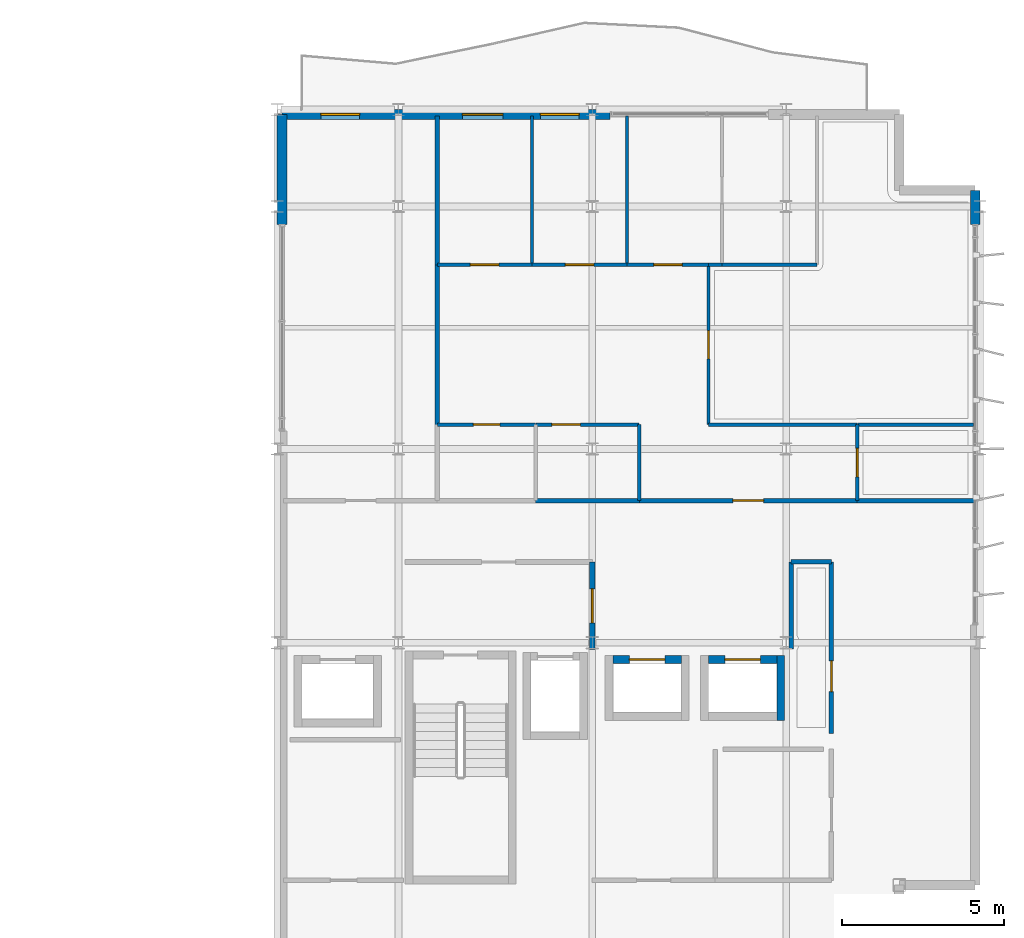
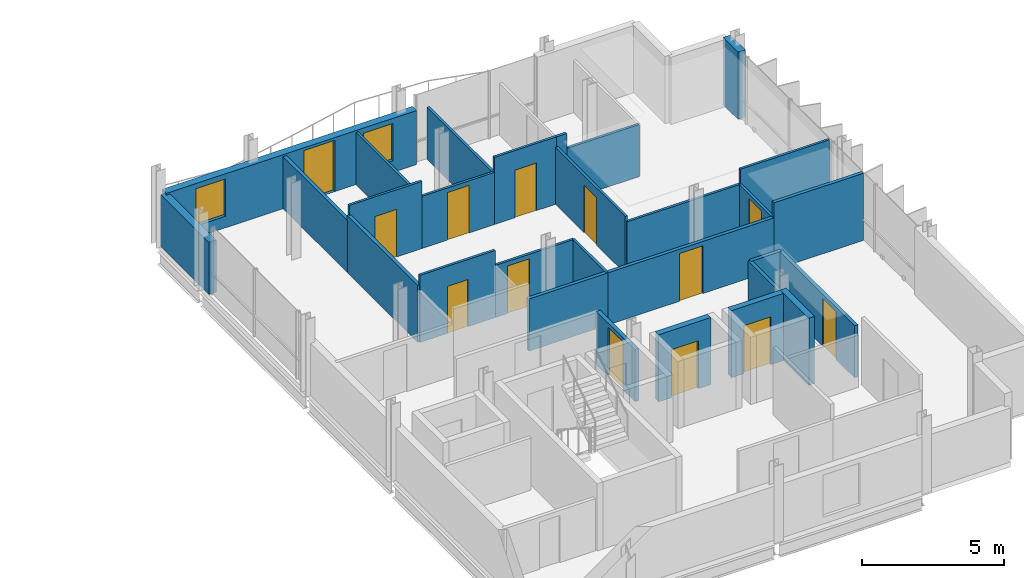
# One storey, part 25 of 30: 29 walls, 13 doors, 2 windows, 15 openings.
"""IFC4 building model written with IfcOpenShell, lengths in metres."""

import ifcopenshell
import ifcopenshell.guid

model = None  # the IFC model being written
_history = None  # IfcOwnerHistory: only IFC2X3 demands one
_inside = {}  # id of a spatial element -> (the spatial element, [elements in it])
_under = {}  # id of a project, library or spatial element -> (it, [spatial elements below it])
_declared = {}  # id of a project -> (the project, [libraries it declares])
_typed = {}  # id of a type object -> (the type object, [elements of that type])
_made_of = {}  # id of a material, layer set ... -> (it, [elements and type objects made of it])


def new_model(schema):
    """Start an empty IFC model of exactly this schema.

    Asked for "IFC4X3", IfcOpenShell would pick the latest addendum, in which some entities
    have other attributes; the version numbers below select the first issue.
    IFC2X3 requires an IfcOwnerHistory on every rooted entity: one is made here for all.
    """
    global model, _history
    if schema == "IFC4X3":
        model = ifcopenshell.file(schema_version=(4, 3, 0, 0))
    else:
        model = ifcopenshell.file(schema=schema)
    _inside.clear()
    _under.clear()
    _declared.clear()
    _typed.clear()
    _made_of.clear()
    _history = None
    if model.schema == "IFC2X3":
        org = make("IfcOrganization", Name="unknown")
        user = make(
            "IfcPersonAndOrganization",
            ThePerson=make("IfcPerson", FamilyName="unknown"),
            TheOrganization=org,
        )
        app = make(
            "IfcApplication",
            ApplicationDeveloper=org,
            Version="unknown",
            ApplicationFullName="unknown",
            ApplicationIdentifier="unknown",
        )
        _history = make(
            "IfcOwnerHistory",
            OwningUser=user,
            OwningApplication=app,
            ChangeAction="ADDED",
            CreationDate=0,
        )
    return model


def make(cls, **values):
    """One entity of the class cls with the attributes given. An attribute that is None is left unset."""
    return model.create_entity(
        cls, **{name: value for name, value in values.items() if value is not None}
    )


def rooted(cls, **values):
    """An entity with a GlobalId (a new one), such as an element, a storey or a relation."""
    return make(cls, GlobalId=ifcopenshell.guid.new(), OwnerHistory=_history, **values)


def si_unit(unit_type, name, prefix=None):
    """IfcSIUnit, for example si_unit("LENGTHUNIT", "METRE", prefix="MILLI")."""
    return make("IfcSIUnit", UnitType=unit_type, Prefix=prefix, Name=name)


def assignment(units):
    """IfcUnitAssignment: the units of a project."""
    return None if units is None else make("IfcUnitAssignment", Units=units)


def point(xyz):
    """IfcCartesianPoint."""
    return None if xyz is None else make("IfcCartesianPoint", Coordinates=xyz)


def direction(xyz):
    """IfcDirection."""
    return None if xyz is None else make("IfcDirection", DirectionRatios=xyz)


def frame(location, z_axis=None, x_axis=None):
    """IfcAxis2Placement3D, a coordinate frame: its origin and axes. An axis left out is left unset."""
    return make(
        "IfcAxis2Placement3D",
        Location=point(location),
        Axis=direction(z_axis),
        RefDirection=direction(x_axis),
    )


def frame_2d(location, x_axis=None):
    """IfcAxis2Placement2D, a coordinate frame in the plane: its origin and x axis."""
    return make(
        "IfcAxis2Placement2D", Location=point(location), RefDirection=direction(x_axis)
    )


def origin():
    """The frame at (0, 0, 0) with its axes left unset."""
    return frame((0.0, 0.0, 0.0))


def place(relative_to, where):
    """IfcLocalPlacement: puts the frame where relative to a parent placement (None: the world)."""
    return make(
        "IfcLocalPlacement", PlacementRelTo=relative_to, RelativePlacement=where
    )


def context(
    kind, dimensions, precision=None, world=None, true_north=None, identifier=None
):
    """IfcGeometricRepresentationContext, for example the 3D "Model" context."""
    return make(
        "IfcGeometricRepresentationContext",
        ContextIdentifier=identifier,
        ContextType=kind,
        CoordinateSpaceDimension=dimensions,
        Precision=precision,
        WorldCoordinateSystem=world,
        TrueNorth=true_north,
    )


def subcontext(parent, identifier, kind, view, scale=None):
    """IfcGeometricRepresentationSubContext, for example "Body" below "Model"."""
    return make(
        "IfcGeometricRepresentationSubContext",
        ContextIdentifier=identifier,
        ContextType=kind,
        ParentContext=parent,
        TargetScale=scale,
        TargetView=view,
    )


def project(units=None, contexts=None):
    """IfcProject with its units and contexts."""
    return rooted(
        "IfcProject",
        Name="project",
        RepresentationContexts=contexts,
        UnitsInContext=assignment(units),
    )


def spatial(cls, under=None, at=None, **own):
    """A site, building, storey or space (cls), placed at a placement, below another one or the project."""
    s = rooted(cls, ObjectPlacement=at, **own)
    if under is not None:
        _under.setdefault(under.id(), (under, []))[1].append(s)
    return s


def profile(cls, at=None, kind="AREA", **sizes):
    """A parametric profile (cls). Its sizes go by their IFC names, for example OverallWidth=200.0."""
    return make(cls, ProfileType=kind, Position=at, **sizes)


def rectangle(**sizes):
    """IfcRectangleProfileDef."""
    return profile("IfcRectangleProfileDef", **sizes)


def extrude(swept, where, along, depth):
    """IfcExtrudedAreaSolid: the profile swept, set in the frame where, extruded along a direction by depth."""
    return make(
        "IfcExtrudedAreaSolid",
        SweptArea=swept,
        Position=where,
        ExtrudedDirection=direction(along),
        Depth=depth,
    )


def shape(context_of_items, identifier, shape_type, items):
    """IfcShapeRepresentation: the items that make up one representation, for example the "Body"."""
    return make(
        "IfcShapeRepresentation",
        ContextOfItems=context_of_items,
        RepresentationIdentifier=identifier,
        RepresentationType=shape_type,
        Items=items,
    )


def material(Name=None, Category=None):
    """IfcMaterial."""
    return make("IfcMaterial", Name=Name, Category=Category)


def layer(
    of_material, thickness, ventilated=None, Name=None, Category=None, Priority=None
):
    """IfcMaterialLayer: one layer of a wall or slab, of a material (None: an air gap)."""
    return make(
        "IfcMaterialLayer",
        Material=of_material,
        LayerThickness=thickness,
        IsVentilated=ventilated,
        Name=Name,
        Category=Category,
        Priority=Priority,
    )


def layer_set(layers, Name=None):
    """IfcMaterialLayerSet."""
    return make("IfcMaterialLayerSet", MaterialLayers=layers, LayerSetName=Name)


def made_of(thing, what):
    """Note that an element or type object is made of a material, layer set ...; save() writes the relation."""
    if what is not None:
        _made_of.setdefault(what.id(), (what, []))[1].append(thing)
    return thing


def type_object(cls, material=None, **own):
    """A type object (cls), such as IfcWallType, which elements share."""
    return made_of(rooted(cls, **own), material)


def element(
    cls,
    number,
    at=None,
    inside=None,
    cuts=None,
    type_object=None,
    material=None,
    context=None,
    identifier="Body",
    shape_type=None,
    held_by="IfcProductDefinitionShape",
    body=None,
    shapes=None,
    **own,
):
    """One element of the class cls, such as IfcWall. Its Tag is "e" and its number.

    at: its placement. inside: the storey or other place that contains it. cuts: it is an
    opening in that element (IfcRelVoidsElement). A single representation is given by context,
    identifier, shape_type and body (its items); several are given by shapes. held_by: the class
    of the entity that holds the representations. save() writes the other relations.
    """
    e = rooted(cls, Tag="e%d" % number, ObjectPlacement=at, **own)
    if body is not None:
        shapes = [shape(context, identifier, shape_type, body)]
    if shapes is not None:
        e.Representation = make(held_by, Representations=shapes)
    if inside is not None:
        _inside.setdefault(inside.id(), (inside, []))[1].append(e)
    if cuts is not None:
        rooted(
            "IfcRelVoidsElement", RelatingBuildingElement=cuts, RelatedOpeningElement=e
        )
    if type_object is not None:
        _typed.setdefault(type_object.id(), (type_object, []))[1].append(e)
    return made_of(e, material)


def fill(opening, filler):
    """IfcRelFillsElement: the door or window that sits in an opening."""
    return rooted(
        "IfcRelFillsElement",
        RelatingOpeningElement=opening,
        RelatedBuildingElement=filler,
    )


def aggregate(whole, parts):
    """IfcRelAggregates: a whole, such as a stair, and the parts it consists of."""
    return rooted("IfcRelAggregates", RelatingObject=whole, RelatedObjects=parts)


def save(model, path):
    """Write the relations noted so far, then the file.

    IfcRelAggregates (storeys below a building ...), IfcRelContainedInSpatialStructure (elements
    in a storey), IfcRelDefinesByType, IfcRelAssociatesMaterial and IfcRelDeclares: one each for
    every whole, place, type object, material and project.
    """
    for whole, parts in _under.values():
        aggregate(whole, parts)
    for where, things in _inside.values():
        rooted(
            "IfcRelContainedInSpatialStructure",
            RelatedElements=things,
            RelatingStructure=where,
        )
    for kind, things in _typed.values():
        rooted("IfcRelDefinesByType", RelatedObjects=things, RelatingType=kind)
    for what, things in _made_of.values():
        rooted("IfcRelAssociatesMaterial", RelatedObjects=things, RelatingMaterial=what)
    for by, libraries in _declared.values():
        rooted("IfcRelDeclares", RelatingContext=by, RelatedDefinitions=libraries)
    model.write(path)


model = new_model("IFC4")

# Units and contexts
model_context = context("Model", 3, precision=1e-05, world=origin(), true_north=direction((0.0, 1.0)))
body_context = subcontext(model_context, "Body", "Model", "MODEL_VIEW")
ifc_project = project(units=[si_unit("LENGTHUNIT", "METRE"), si_unit("AREAUNIT", "SQUARE_METRE"), si_unit("VOLUMEUNIT", "CUBIC_METRE"), si_unit("PLANEANGLEUNIT", "RADIAN"), si_unit("MASSUNIT", "GRAM", prefix="KILO")], contexts=[model_context])

# Site, building, storey
site_placement = place(None, origin())
site = spatial("IfcSite", under=ifc_project, at=site_placement, CompositionType="ELEMENT")
building_placement = place(site_placement, origin())
building = spatial("IfcBuilding", under=site, at=building_placement, Name="Brevholm Reach", CompositionType="ELEMENT")
storey_placement = place(building_placement, frame((0.0, 0.0, 211.10009765625)))
storey = spatial("IfcBuildingStorey", under=building, at=storey_placement, Name="L64", CompositionType="ELEMENT", Elevation=211.10009765625)

# Wall, opening, door
ifc_material_1 = material(Name="Concrete C45/55", Category="concrete")
ifc_layer_1 = layer(ifc_material_1, 0.239990234375)
ifc_layer_set_1 = layer_set([ifc_layer_1], Name="Concrete C45/55")
wall_type_1 = type_object("IfcWallType", Name="WAL-COR-240", PredefinedType="SHEAR", material=ifc_layer_set_1)
wall_1_placement = place(storey_placement, frame((48.639892578125, 9.47998046875, 0.0), z_axis=(0.0, 0.0, 1.0), x_axis=(1.0, 0.0, 0.0)))
wall_1 = element("IfcWall", 1, at=wall_1_placement, inside=storey, type_object=wall_type_1, Name="L64 Lift PL-H1 Shaft Wall N", PredefinedType="SHEAR", context=body_context, shape_type="SweptSolid", body=[
    extrude(rectangle(XDim=2.1201171875, YDim=0.239990234375, at=frame_2d((1.06005859375, 0.0))), origin(), (0.0, 0.0, 1.0), 2.8798828125),
])
opening_1_placement = place(wall_1_placement, frame((0.510009765625, 0.0, 0.0)))
opening_1 = element("IfcOpeningElement", 2, at=opening_1_placement, cuts=wall_1, Name="Opening LD-PL-H1", PredefinedType="OPENING", context=body_context, shape_type="SweptSolid", body=[
    extrude(rectangle(XDim=1.10009765625, YDim=2.06005859375, at=frame_2d((0.550048828125, 1.030029296875))), frame((0.0, 0.1298828125, 0.0), z_axis=(0.0, -1.0, 0.0), x_axis=(1.0, 0.0, 0.0)), (0.0, 0.0, 1.0), 0.260009765625),
])
ifc_material_2 = material(Name="Brushed Stainless Steel Fire-Rated Sliding Lift Door", Category="steel")
door_type_1 = type_object("IfcDoorType", Name="DOR-LFT-1100", OperationType="NOTDEFINED", PredefinedType="DOOR", material=ifc_material_2)
door_1_placement = place(opening_1_placement, origin())
door_1 = element("IfcDoor", 3, at=door_1_placement, inside=storey, type_object=door_type_1, Name="L64 Lift PL-H1 Sliding Landing Door", OperationType="SLIDING_TO_LEFT", OverallHeight=2.06005859375, OverallWidth=1.10009765625, PredefinedType="DOOR", context=body_context, shape_type="SweptSolid", body=[
    extrude(rectangle(XDim=1.10009765625, YDim=2.06005859375, at=frame_2d((0.550048828125, 1.030029296875))), frame((0.0, 0.02490234375, 0.0), z_axis=(0.0, -1.0, 0.0), x_axis=(1.0, 0.0, 0.0)), (0.0, 0.0, 1.0), 0.050048828125),
])
fill(opening_1, door_1)

# Wall
wall_2_placement = place(storey_placement, frame((53.830078125, 7.60009765625, 0.0), z_axis=(0.0, 0.0, 1.0), x_axis=(0.0, 1.0, 0.0)))
element("IfcWall", 4, at=wall_2_placement, inside=storey, type_object=wall_type_1, Name="L64 Lift PL-H2 Shaft Wall E", PredefinedType="SHEAR", context=body_context, shape_type="SweptSolid", body=[
    extrude(rectangle(XDim=2.0, YDim=0.239990234375, at=frame_2d((1.0, 0.0))), origin(), (0.0, 0.0, 1.0), 2.8798828125),
])

# Wall, opening, door
wall_3_placement = place(storey_placement, frame((51.590087890625, 9.47998046875, 0.0), z_axis=(0.0, 0.0, 1.0), x_axis=(1.0, 0.0, 0.0)))
wall_3 = element("IfcWall", 5, at=wall_3_placement, inside=storey, type_object=wall_type_1, Name="L64 Lift PL-H2 Shaft Wall N", PredefinedType="SHEAR", context=body_context, shape_type="SweptSolid", body=[
    extrude(rectangle(XDim=2.119873046875, YDim=0.239990234375, at=frame_2d((1.06005859375, 0.0))), origin(), (0.0, 0.0, 1.0), 2.8798828125),
])
opening_2_placement = place(wall_3_placement, frame((0.510009765625, 0.0, 0.0)))
opening_2 = element("IfcOpeningElement", 6, at=opening_2_placement, cuts=wall_3, Name="Opening LD-PL-H2", PredefinedType="OPENING", context=body_context, shape_type="SweptSolid", body=[
    extrude(rectangle(XDim=1.10009765625, YDim=2.06005859375, at=frame_2d((0.550048828125, 1.030029296875))), frame((0.0, 0.1298828125, 0.0), z_axis=(0.0, -1.0, 0.0), x_axis=(1.0, 0.0, 0.0)), (0.0, 0.0, 1.0), 0.260009765625),
])
door_2_placement = place(opening_2_placement, origin())
door_2 = element("IfcDoor", 7, at=door_2_placement, inside=storey, type_object=door_type_1, Name="L64 Lift PL-H2 Sliding Landing Door", OperationType="SLIDING_TO_RIGHT", OverallHeight=2.06005859375, OverallWidth=1.10009765625, PredefinedType="DOOR", context=body_context, shape_type="SweptSolid", body=[
    extrude(rectangle(XDim=1.10009765625, YDim=2.06005859375, at=frame_2d((0.550048828125, 1.030029296875))), frame((0.0, 0.02490234375, 0.0), z_axis=(0.0, -1.0, 0.0), x_axis=(1.0, 0.0, 0.0)), (0.0, 0.0, 1.0), 0.050048828125),
])
fill(opening_2, door_2)

# Walls
ifc_material_3 = material(Name="Concrete C40/50", Category="concrete")
ifc_layer_2 = layer(ifc_material_3, 0.300048828125)
ifc_layer_set_2 = layer_set([ifc_layer_2], Name="Concrete C40/50")
wall_type_2 = type_object("IfcWallType", Name="WAL-EXT-300", PredefinedType="STANDARD", material=ifc_layer_set_2)
wall_4_placement = place(storey_placement, frame((38.39990234375, 26.35009765625, 0.0), z_axis=(0.0, 0.0, 1.0), x_axis=(0.0, -1.0, 0.0)))
element("IfcWall", 8, at=wall_4_placement, inside=storey, type_object=wall_type_2, Name="L64 Facade Wall WAL-L64-VP-EN", PredefinedType="STANDARD", context=body_context, shape_type="SweptSolid", body=[
    extrude(rectangle(XDim=3.400146484375, YDim=0.300048828125, at=frame_2d((1.7001953125, 0.0))), origin(), (0.0, 0.0, 1.0), 2.234619140625),
])
wall_5_placement = place(storey_placement, frame((59.85009765625, 22.949951171875, 0.0), z_axis=(0.0, 0.0, 1.0), x_axis=(0.0, 1.0, 0.0)))
element("IfcWall", 9, at=wall_5_placement, inside=storey, type_object=wall_type_2, Name="L64 Facade Wall WAL-L64-EW-EN", PredefinedType="STANDARD", context=body_context, shape_type="SweptSolid", body=[
    extrude(rectangle(XDim=1.050048828125, YDim=0.300048828125, at=frame_2d((0.52490234375, 0.0))), origin(), (0.0, 0.0, 1.0), 2.8798828125),
])

# Wall, openings, door, windows
wall_6_placement = place(storey_placement, frame((38.39990234375, 26.35009765625, 0.0), z_axis=(0.0, 0.0, 1.0), x_axis=(1.0, 0.0, 0.0)))
wall_6 = element("IfcWall", 10, at=wall_6_placement, inside=storey, type_object=wall_type_2, Name="L64 Facade Wall WAL-L64-EW-NP1", PredefinedType="STANDARD", context=body_context, shape_type="SweptSolid", body=[
    extrude(rectangle(XDim=10.150146484375, YDim=0.300048828125, at=frame_2d((5.0751953125, 0.0))), origin(), (0.0, 0.0, 1.0), 2.3154296875),
])
opening_3_placement = place(wall_6_placement, frame((5.5810546875, 0.0, 0.0)))
opening_3 = element("IfcOpeningElement", 11, at=opening_3_placement, cuts=wall_6, Name="Opening BD-02", PredefinedType="OPENING", context=body_context, shape_type="SweptSolid", body=[
    extrude(rectangle(XDim=1.25, YDim=2.199951171875, at=frame_2d((0.625, 1.10009765625))), frame((0.0, 0.159912109375, 0.0), z_axis=(0.0, -1.0, 0.0), x_axis=(1.0, 0.0, 0.0)), (0.0, 0.0, 1.0), 0.320068359375),
])
opening_4_placement = place(wall_6_placement, frame((1.199951171875, 0.0, 0.49609375)))
opening_4 = element("IfcOpeningElement", 12, at=opening_4_placement, cuts=wall_6, Name="Opening WN-08", PredefinedType="OPENING", context=body_context, shape_type="SweptSolid", body=[
    extrude(rectangle(XDim=1.199951171875, YDim=1.60009765625, at=frame_2d((0.60009765625, 0.800048828125))), frame((0.0, 0.159912109375, 0.0), z_axis=(0.0, -1.0, 0.0), x_axis=(1.0, 0.0, 0.0)), (0.0, 0.0, 1.0), 0.320068359375),
])
opening_5_placement = place(wall_6_placement, frame((7.990234375, 0.0, 0.49560546875)))
opening_5 = element("IfcOpeningElement", 13, at=opening_5_placement, cuts=wall_6, Name="Opening WN-08", PredefinedType="OPENING", context=body_context, shape_type="SweptSolid", body=[
    extrude(rectangle(XDim=1.199951171875, YDim=1.60009765625, at=frame_2d((0.60009765625, 0.800048828125))), frame((0.0, 0.159912109375, 0.0), z_axis=(0.0, -1.0, 0.0), x_axis=(1.0, 0.0, 0.0)), (0.0, 0.0, 1.0), 0.320068359375),
])
ifc_material_4 = material(Name="Dark Anodised Aluminium and Triple-Glazed Glass", Category="aluminium")
door_type_2 = type_object("IfcDoorType", Name="DOR-BALC-1250", OperationType="NOTDEFINED", PredefinedType="DOOR", material=ifc_material_4)
door_3_placement = place(opening_3_placement, origin())
door_3 = element("IfcDoor", 14, at=door_3_placement, inside=storey, type_object=door_type_2, Name="L64 Exterior Door DOR-L64-BL-NE", OperationType="SINGLE_SWING_RIGHT", OverallHeight=2.199951171875, OverallWidth=1.25, PredefinedType="DOOR", context=body_context, shape_type="SweptSolid", body=[
    extrude(rectangle(XDim=1.25, YDim=2.199951171875, at=frame_2d((0.625, 1.10009765625))), frame((0.0, 0.02490234375, 0.0), z_axis=(0.0, -1.0, 0.0), x_axis=(1.0, 0.0, 0.0)), (0.0, 0.0, 1.0), 0.050048828125),
])
fill(opening_3, door_3)
ifc_material_5 = material(Name="Dark Anodised Aluminium and Solar-Control IGU Glass", Category="aluminium")
window_type = type_object("IfcWindowType", Name="WIN-RES-1200", PartitioningType="SINGLE_PANEL", PredefinedType="WINDOW", material=ifc_material_5)
window_1_placement = place(opening_4_placement, origin())
window_1 = element("IfcWindow", 15, at=window_1_placement, inside=storey, type_object=window_type, Name="L64 Window WIN-L64-EW-NP1", OverallHeight=1.60009765625, OverallWidth=1.199951171875, PartitioningType="SINGLE_PANEL", PredefinedType="WINDOW", context=body_context, shape_type="SweptSolid", body=[
    extrude(rectangle(XDim=1.199951171875, YDim=1.60009765625, at=frame_2d((0.60009765625, 0.800048828125))), frame((0.0, 0.030029296875, 0.0), z_axis=(0.0, -1.0, 0.0), x_axis=(1.0, 0.0, 0.0)), (0.0, 0.0, 1.0), 0.06005859375),
])
fill(opening_4, window_1)
window_2_placement = place(opening_5_placement, origin())
window_2 = element("IfcWindow", 16, at=window_2_placement, inside=storey, type_object=window_type, Name="L64 Bedroom Window 068", OverallHeight=1.60009765625, OverallWidth=1.199951171875, PartitioningType="SINGLE_PANEL", PredefinedType="WINDOW", context=body_context, shape_type="SweptSolid", body=[
    extrude(rectangle(XDim=1.199951171875, YDim=1.60009765625, at=frame_2d((0.60009765625, 0.800048828125))), frame((0.0, 0.030029296875, 0.0), z_axis=(0.0, -1.0, 0.0), x_axis=(1.0, 0.0, 0.0)), (0.0, 0.0, 1.0), 0.06005859375),
])
fill(opening_5, window_2)

# Wall, opening, door
ifc_material_6 = material(Name="Moisture-Resistant Acoustic Gypsum Stud Partition 100 mm", Category="gypsum")
ifc_layer_3 = layer(ifc_material_6, 0.10009765625)
ifc_layer_set_3 = layer_set([ifc_layer_3], Name="Moisture-Resistant Acoustic Gypsum Stud Partition 100 mm")
wall_type_3 = type_object("IfcWallType", Name="WAL-PRT-100", PredefinedType="PARTITIONING", material=ifc_layer_set_3)
wall_7_placement = place(storey_placement, frame((43.2041015625, 16.75, 0.0), z_axis=(0.0, 0.0, 1.0), x_axis=(1.0, 0.0, 0.0)))
wall_7 = element("IfcWall", 17, at=wall_7_placement, inside=storey, type_object=wall_type_3, Name="L64 Internal Partition 077", PredefinedType="PARTITIONING", context=body_context, shape_type="SweptSolid", body=[
    extrude(rectangle(XDim=3.0458984375, YDim=0.10009765625, at=frame_2d((1.52294921875, 0.0))), origin(), (0.0, 0.0, 1.0), 2.8798828125),
])
opening_6_placement = place(wall_7_placement, frame((1.113037109375, 0.0, 0.0)))
opening_6 = element("IfcOpeningElement", 18, at=opening_6_placement, cuts=wall_7, Name="Opening ID-03", PredefinedType="OPENING", context=body_context, shape_type="SweptSolid", body=[
    extrude(rectangle(XDim=0.820068359375, YDim=2.02001953125, at=frame_2d((0.41015625, 1.010009765625))), frame((0.0, 0.06005859375, 0.0), z_axis=(0.0, -1.0, 0.0), x_axis=(1.0, 0.0, 0.0)), (0.0, 0.0, 1.0), 0.1201171875),
])
ifc_material_7 = material(Name="Moisture-Resistant Painted Timber Internal Bathroom Door", Category="wood")
door_type_3 = type_object("IfcDoorType", Name="DOR-BATH-820", OperationType="NOTDEFINED", PredefinedType="DOOR", material=ifc_material_7)
door_4_placement = place(opening_6_placement, origin())
door_4 = element("IfcDoor", 19, at=door_4_placement, inside=storey, type_object=door_type_3, Name="L64 Internal Door 033", OperationType="SINGLE_SWING_RIGHT", OverallHeight=2.02001953125, OverallWidth=0.820068359375, PredefinedType="DOOR", context=body_context, shape_type="SweptSolid", body=[
    extrude(rectangle(XDim=0.820068359375, YDim=2.02001953125, at=frame_2d((0.41015625, 1.010009765625))), frame((0.0, 0.02490234375, 0.0), z_axis=(0.0, -1.0, 0.0), x_axis=(1.0, 0.0, 0.0)), (0.0, 0.0, 1.0), 0.050048828125),
])
fill(opening_6, door_4)

# Wall
wall_8_placement = place(storey_placement, frame((49.449951171875, 14.404052734375, 0.0), z_axis=(0.0, 0.0, 1.0), x_axis=(0.0, 1.0, 0.0)))
element("IfcWall", 20, at=wall_8_placement, inside=storey, type_object=wall_type_3, Name="L64 Internal Partition 078", PredefinedType="PARTITIONING", context=body_context, shape_type="SweptSolid", body=[
    extrude(rectangle(XDim=2.345947265625, YDim=0.10009765625, at=frame_2d((1.1728515625, 0.0))), origin(), (0.0, 0.0, 1.0), 2.234619140625),
])

# Wall, opening, door
wall_9_placement = place(storey_placement, frame((46.25390625, 16.75, 0.0), z_axis=(0.0, 0.0, 1.0), x_axis=(1.0, 0.0, 0.0)))
wall_9 = element("IfcWall", 21, at=wall_9_placement, inside=storey, type_object=wall_type_3, Name="L64 Internal Partition 079", PredefinedType="PARTITIONING", context=body_context, shape_type="SweptSolid", body=[
    extrude(rectangle(XDim=3.196044921875, YDim=0.10009765625, at=frame_2d((1.59814453125, 0.0))), origin(), (0.0, 0.0, 1.0), 2.234619140625),
])
opening_7_placement = place(wall_9_placement, frame((0.498046875, 0.0, 0.0)))
opening_7 = element("IfcOpeningElement", 22, at=opening_7_placement, cuts=wall_9, Name="Opening ID-01", PredefinedType="OPENING", context=body_context, shape_type="SweptSolid", body=[
    extrude(rectangle(XDim=0.8798828125, YDim=2.0400390625, at=frame_2d((0.43994140625, 1.02001953125))), frame((0.0, 0.06005859375, 0.0), z_axis=(0.0, -1.0, 0.0), x_axis=(1.0, 0.0, 0.0)), (0.0, 0.0, 1.0), 0.1201171875),
])
ifc_material_8 = material(Name="Lacquered Ash Solid-Core Acoustic Internal Door", Category="timber")
door_type_4 = type_object("IfcDoorType", Name="DOR-INT-880", OperationType="NOTDEFINED", PredefinedType="DOOR", material=ifc_material_8)
door_5_placement = place(opening_7_placement, origin())
door_5 = element("IfcDoor", 23, at=door_5_placement, inside=storey, type_object=door_type_4, Name="L64 Internal Door 034", OperationType="SINGLE_SWING_LEFT", OverallHeight=2.0400390625, OverallWidth=0.8798828125, PredefinedType="DOOR", context=body_context, shape_type="SweptSolid", body=[
    extrude(rectangle(XDim=0.8798828125, YDim=2.0400390625, at=frame_2d((0.43994140625, 1.02001953125))), frame((0.0, 0.02490234375, 0.0), z_axis=(0.0, -1.0, 0.0), x_axis=(1.0, 0.0, 0.0)), (0.0, 0.0, 1.0), 0.050048828125),
])
fill(opening_7, door_5)

# Wall
wall_10_placement = place(storey_placement, frame((56.199951171875, 16.75, 0.0), z_axis=(0.0, 0.0, 1.0), x_axis=(1.0, 0.0, 0.0)))
element("IfcWall", 24, at=wall_10_placement, inside=storey, type_object=wall_type_3, Name="L64 Internal Partition 080", PredefinedType="PARTITIONING", context=body_context, shape_type="SweptSolid", body=[
    extrude(rectangle(XDim=3.60009765625, YDim=0.10009765625, at=frame_2d((1.800048828125, 0.0))), origin(), (0.0, 0.0, 1.0), 2.8798828125),
])

# Wall, opening, door
wall_11_placement = place(storey_placement, frame((56.199951171875, 14.404052734375, 0.0), z_axis=(0.0, 0.0, 1.0), x_axis=(0.0, 1.0, 0.0)))
wall_11 = element("IfcWall", 25, at=wall_11_placement, inside=storey, type_object=wall_type_3, Name="L64 Internal Partition 081", PredefinedType="PARTITIONING", context=body_context, shape_type="SweptSolid", body=[
    extrude(rectangle(XDim=2.345947265625, YDim=0.10009765625, at=frame_2d((1.1728515625, 0.0))), origin(), (0.0, 0.0, 1.0), 2.234619140625),
])
opening_8_placement = place(wall_11_placement, frame((0.73291015625, 0.0, 0.0)))
opening_8 = element("IfcOpeningElement", 26, at=opening_8_placement, cuts=wall_11, Name="Opening ID-01", PredefinedType="OPENING", context=body_context, shape_type="SweptSolid", body=[
    extrude(rectangle(XDim=0.8798828125, YDim=2.0400390625, at=frame_2d((0.43994140625, 1.02001953125))), frame((0.0, 0.06005859375, 0.0), z_axis=(0.0, -1.0, 0.0), x_axis=(1.0, 0.0, 0.0)), (0.0, 0.0, 1.0), 0.1201171875),
])
door_6_placement = place(opening_8_placement, origin())
door_6 = element("IfcDoor", 27, at=door_6_placement, inside=storey, type_object=door_type_4, Name="L64 Internal Door 035", OperationType="SINGLE_SWING_RIGHT", OverallHeight=2.0400390625, OverallWidth=0.8798828125, PredefinedType="DOOR", context=body_context, shape_type="SweptSolid", body=[
    extrude(rectangle(XDim=0.8798828125, YDim=2.0400390625, at=frame_2d((0.43994140625, 1.02001953125))), frame((0.0, 0.02490234375, 0.0), z_axis=(0.0, -1.0, 0.0), x_axis=(1.0, 0.0, 0.0)), (0.0, 0.0, 1.0), 0.050048828125),
])
fill(opening_8, door_6)

# Wall
wall_12_placement = place(storey_placement, frame((46.137939453125, 21.699951171875, 0.0), z_axis=(0.0, 0.0, 1.0), x_axis=(0.0, 1.0, 0.0)))
element("IfcWall", 28, at=wall_12_placement, inside=storey, type_object=wall_type_3, Name="L64 Internal Partition 082", PredefinedType="PARTITIONING", context=body_context, shape_type="SweptSolid", body=[
    extrude(rectangle(XDim=4.60009765625, YDim=0.10009765625, at=frame_2d((2.300048828125, 0.0))), origin(), (0.0, 0.0, 1.0), 2.234619140625),
])

# Wall, opening, door
wall_13_placement = place(storey_placement, frame((43.2041015625, 21.699951171875, 0.0), z_axis=(0.0, 0.0, 1.0), x_axis=(1.0, 0.0, 0.0)))
wall_13 = element("IfcWall", 29, at=wall_13_placement, inside=storey, type_object=wall_type_3, Name="L64 Internal Partition 083", PredefinedType="PARTITIONING", context=body_context, shape_type="SweptSolid", body=[
    extrude(rectangle(XDim=2.933837890625, YDim=0.10009765625, at=frame_2d((1.466796875, 0.0))), origin(), (0.0, 0.0, 1.0), 2.8798828125),
])
opening_9_placement = place(wall_13_placement, frame((1.027099609375, 0.0, 0.0)))
opening_9 = element("IfcOpeningElement", 30, at=opening_9_placement, cuts=wall_13, Name="Opening ID-01", PredefinedType="OPENING", context=body_context, shape_type="SweptSolid", body=[
    extrude(rectangle(XDim=0.8798828125, YDim=2.0400390625, at=frame_2d((0.43994140625, 1.02001953125))), frame((0.0, 0.06005859375, 0.0), z_axis=(0.0, -1.0, 0.0), x_axis=(1.0, 0.0, 0.0)), (0.0, 0.0, 1.0), 0.1201171875),
])
door_7_placement = place(opening_9_placement, origin())
door_7 = element("IfcDoor", 31, at=door_7_placement, inside=storey, type_object=door_type_4, Name="L64 Internal Door 036", OperationType="SINGLE_SWING_LEFT", OverallHeight=2.0400390625, OverallWidth=0.8798828125, PredefinedType="DOOR", context=body_context, shape_type="SweptSolid", body=[
    extrude(rectangle(XDim=0.8798828125, YDim=2.0400390625, at=frame_2d((0.43994140625, 1.02001953125))), frame((0.0, 0.02490234375, 0.0), z_axis=(0.0, -1.0, 0.0), x_axis=(1.0, 0.0, 0.0)), (0.0, 0.0, 1.0), 0.050048828125),
])
fill(opening_9, door_7)

# Wall
wall_14_placement = place(storey_placement, frame((49.074951171875, 21.699951171875, 0.0), z_axis=(0.0, 0.0, 1.0), x_axis=(0.0, 1.0, 0.0)))
element("IfcWall", 32, at=wall_14_placement, inside=storey, type_object=wall_type_3, Name="L64 Internal Partition 084", PredefinedType="PARTITIONING", context=body_context, shape_type="SweptSolid", body=[
    extrude(rectangle(XDim=4.60009765625, YDim=0.10009765625, at=frame_2d((2.300048828125, 0.0))), origin(), (0.0, 0.0, 1.0), 2.234619140625),
])

# Wall, opening, door
wall_15_placement = place(storey_placement, frame((46.14208984375, 21.699951171875, 0.0), z_axis=(0.0, 0.0, 1.0), x_axis=(1.0, 0.0, 0.0)))
wall_15 = element("IfcWall", 33, at=wall_15_placement, inside=storey, type_object=wall_type_3, Name="L64 Internal Partition 085", PredefinedType="PARTITIONING", context=body_context, shape_type="SweptSolid", body=[
    extrude(rectangle(XDim=2.932861328125, YDim=0.10009765625, at=frame_2d((1.46630859375, 0.0))), origin(), (0.0, 0.0, 1.0), 2.234619140625),
])
opening_10_placement = place(wall_15_placement, frame((1.026611328125, 0.0, 0.0)))
opening_10 = element("IfcOpeningElement", 34, at=opening_10_placement, cuts=wall_15, Name="Opening ID-01", PredefinedType="OPENING", context=body_context, shape_type="SweptSolid", body=[
    extrude(rectangle(XDim=0.8798828125, YDim=2.0400390625, at=frame_2d((0.43994140625, 1.02001953125))), frame((0.0, 0.06005859375, 0.0), z_axis=(0.0, -1.0, 0.0), x_axis=(1.0, 0.0, 0.0)), (0.0, 0.0, 1.0), 0.1201171875),
])
door_8_placement = place(opening_10_placement, origin())
door_8 = element("IfcDoor", 35, at=door_8_placement, inside=storey, type_object=door_type_4, Name="L64 Internal Door 037", OperationType="SINGLE_SWING_RIGHT", OverallHeight=2.0400390625, OverallWidth=0.8798828125, PredefinedType="DOOR", context=body_context, shape_type="SweptSolid", body=[
    extrude(rectangle(XDim=0.8798828125, YDim=2.0400390625, at=frame_2d((0.43994140625, 1.02001953125))), frame((0.0, 0.02490234375, 0.0), z_axis=(0.0, -1.0, 0.0), x_axis=(1.0, 0.0, 0.0)), (0.0, 0.0, 1.0), 0.050048828125),
])
fill(opening_10, door_8)

# Wall
wall_16_placement = place(storey_placement, frame((51.588623046875, 21.699951171875, 0.0), z_axis=(0.0, 0.0, 1.0), x_axis=(1.0, 0.0, 0.0)))
element("IfcWall", 36, at=wall_16_placement, inside=storey, type_object=wall_type_3, Name="L64 Internal Partition 087", PredefinedType="PARTITIONING", context=body_context, shape_type="SweptSolid", body=[
    extrude(rectangle(XDim=0.42431640625, YDim=0.10009765625, at=frame_2d((0.212158203125, 0.0))), origin(), (0.0, 0.0, 1.0), 2.8798828125),
])

# Wall, opening, door
wall_17_placement = place(storey_placement, frame((49.0791015625, 21.699951171875, 0.0), z_axis=(0.0, 0.0, 1.0), x_axis=(1.0, 0.0, 0.0)))
wall_17 = element("IfcWall", 37, at=wall_17_placement, inside=storey, type_object=wall_type_3, Name="L64 Internal Partition 088", PredefinedType="PARTITIONING", context=body_context, shape_type="SweptSolid", body=[
    extrude(rectangle(XDim=2.5283203125, YDim=0.10009765625, at=frame_2d((1.26416015625, 0.0))), origin(), (0.0, 0.0, 1.0), 2.8798828125),
])
opening_11_placement = place(wall_17_placement, frame((0.82421875, 0.0, 0.0)))
opening_11 = element("IfcOpeningElement", 38, at=opening_11_placement, cuts=wall_17, Name="Opening ID-01", PredefinedType="OPENING", context=body_context, shape_type="SweptSolid", body=[
    extrude(rectangle(XDim=0.8798828125, YDim=2.0400390625, at=frame_2d((0.43994140625, 1.02001953125))), frame((0.0, 0.06005859375, 0.0), z_axis=(0.0, -1.0, 0.0), x_axis=(1.0, 0.0, 0.0)), (0.0, 0.0, 1.0), 0.1201171875),
])
door_9_placement = place(opening_11_placement, origin())
door_9 = element("IfcDoor", 39, at=door_9_placement, inside=storey, type_object=door_type_4, Name="L64 Internal Door 038", OperationType="SINGLE_SWING_LEFT", OverallHeight=2.0400390625, OverallWidth=0.8798828125, PredefinedType="DOOR", context=body_context, shape_type="SweptSolid", body=[
    extrude(rectangle(XDim=0.8798828125, YDim=2.0400390625, at=frame_2d((0.43994140625, 1.02001953125))), frame((0.0, 0.02490234375, 0.0), z_axis=(0.0, -1.0, 0.0), x_axis=(1.0, 0.0, 0.0)), (0.0, 0.0, 1.0), 0.050048828125),
])
fill(opening_11, door_9)

# Wall
wall_18_placement = place(storey_placement, frame((52.01708984375, 21.699951171875, 0.0), z_axis=(0.0, 0.0, 1.0), x_axis=(1.0, 0.0, 0.0)))
element("IfcWall", 40, at=wall_18_placement, inside=storey, type_object=wall_type_3, Name="L64 Internal Partition 089", PredefinedType="PARTITIONING", context=body_context, shape_type="SweptSolid", body=[
    extrude(rectangle(XDim=2.932861328125, YDim=0.10009765625, at=frame_2d((1.46630859375, 0.0))), origin(), (0.0, 0.0, 1.0), 2.234619140625),
])

# Wall, opening, door
wall_19_placement = place(storey_placement, frame((51.60009765625, 16.75, 0.0), z_axis=(0.0, 0.0, 1.0), x_axis=(0.0, 1.0, 0.0)))
wall_19 = element("IfcWall", 41, at=wall_19_placement, inside=storey, type_object=wall_type_3, Name="L64 Internal Partition 091", PredefinedType="PARTITIONING", context=body_context, shape_type="SweptSolid", body=[
    extrude(rectangle(XDim=4.946044921875, YDim=0.10009765625, at=frame_2d((2.47314453125, 0.0))), origin(), (0.0, 0.0, 1.0), 2.448486328125),
])
opening_12_placement = place(wall_19_placement, frame((2.032958984375, 0.0, 0.0)))
opening_12 = element("IfcOpeningElement", 42, at=opening_12_placement, cuts=wall_19, Name="Opening ID-01", PredefinedType="OPENING", context=body_context, shape_type="SweptSolid", body=[
    extrude(rectangle(XDim=0.8798828125, YDim=2.0400390625, at=frame_2d((0.43994140625, 1.02001953125))), frame((0.0, 0.06005859375, 0.0), z_axis=(0.0, -1.0, 0.0), x_axis=(1.0, 0.0, 0.0)), (0.0, 0.0, 1.0), 0.1201171875),
])
door_10_placement = place(opening_12_placement, origin())
door_10 = element("IfcDoor", 43, at=door_10_placement, inside=storey, type_object=door_type_4, Name="L64 Internal Door 039", OperationType="SINGLE_SWING_RIGHT", OverallHeight=2.0400390625, OverallWidth=0.8798828125, PredefinedType="DOOR", context=body_context, shape_type="SweptSolid", body=[
    extrude(rectangle(XDim=0.8798828125, YDim=2.0400390625, at=frame_2d((0.43994140625, 1.02001953125))), frame((0.0, 0.02490234375, 0.0), z_axis=(0.0, -1.0, 0.0), x_axis=(1.0, 0.0, 0.0)), (0.0, 0.0, 1.0), 0.050048828125),
])
fill(opening_12, door_10)

# Wall
wall_20_placement = place(storey_placement, frame((51.60009765625, 16.75, 0.0), z_axis=(0.0, 0.0, 1.0), x_axis=(1.0, 0.0, 0.0)))
element("IfcWall", 44, at=wall_20_placement, inside=storey, type_object=wall_type_3, Name="L64 Internal Partition 092", PredefinedType="PARTITIONING", context=body_context, shape_type="SweptSolid", body=[
    extrude(rectangle(XDim=4.595947265625, YDim=0.10009765625, at=frame_2d((2.2978515625, 0.0))), origin(), (0.0, 0.0, 1.0), 2.234619140625),
])

# Wall, opening, door
ifc_material_9 = material(Name="Twin-Stud Acoustic Fire-Rated Gypsum Partition 140 mm", Category="gypsum")
ifc_layer_4 = layer(ifc_material_9, 0.139892578125)
ifc_layer_set_4 = layer_set([ifc_layer_4], Name="Twin-Stud Acoustic Fire-Rated Gypsum Partition 140 mm")
wall_type_4 = type_object("IfcWallType", Name="WAL-PRT-140", PredefinedType="PARTITIONING", material=ifc_layer_set_4)
wall_21_placement = place(storey_placement, frame((55.39990234375, 7.188720703125, 0.0), z_axis=(0.0, 0.0, 1.0), x_axis=(0.0, 1.0, 0.0)))
wall_21 = element("IfcWall", 45, at=wall_21_placement, inside=storey, type_object=wall_type_4, Name="L64 Internal Partition 007", PredefinedType="PARTITIONING", context=body_context, shape_type="SweptSolid", body=[
    extrude(rectangle(XDim=5.311279296875, YDim=0.139892578125, at=frame_2d((2.65576171875, 0.0))), origin(), (0.0, 0.0, 1.0), 2.234619140625),
])
opening_13_placement = place(wall_21_placement, frame((1.30078125, 0.0, 0.0)))
opening_13 = element("IfcOpeningElement", 46, at=opening_13_placement, cuts=wall_21, Name="Opening ID-30", PredefinedType="OPENING", context=body_context, shape_type="SweptSolid", body=[
    extrude(rectangle(XDim=0.949951171875, YDim=2.050048828125, at=frame_2d((0.47509765625, 1.02490234375))), frame((0.0, 0.079833984375, 0.0), z_axis=(0.0, -1.0, 0.0), x_axis=(1.0, 0.0, 0.0)), (0.0, 0.0, 1.0), 0.159912109375),
])
ifc_material_10 = material(Name="European Oak Veneered Solid-Core Fire Entrance Door", Category="timber")
door_type_5 = type_object("IfcDoorType", Name="DOR-FLT-FD30S", OperationType="NOTDEFINED", PredefinedType="DOOR", material=ifc_material_10)
door_11_placement = place(opening_13_placement, origin())
door_11 = element("IfcDoor", 47, at=door_11_placement, inside=storey, type_object=door_type_5, Name="L64 Internal Door 005", OperationType="SINGLE_SWING_RIGHT", OverallHeight=2.050048828125, OverallWidth=0.949951171875, PredefinedType="DOOR", context=body_context, shape_type="SweptSolid", body=[
    extrude(rectangle(XDim=0.949951171875, YDim=2.050048828125, at=frame_2d((0.47509765625, 1.02490234375))), frame((0.0, 0.02490234375, 0.0), z_axis=(0.0, -1.0, 0.0), x_axis=(1.0, 0.0, 0.0)), (0.0, 0.0, 1.0), 0.050048828125),
])
fill(opening_13, door_11)

# Walls
wall_22_placement = place(storey_placement, frame((54.14990234375, 9.800048828125, 0.0), z_axis=(0.0, 0.0, 1.0), x_axis=(0.0, 1.0, 0.0)))
element("IfcWall", 48, at=wall_22_placement, inside=storey, type_object=wall_type_4, Name="L64 Internal Partition 032", PredefinedType="PARTITIONING", context=body_context, shape_type="SweptSolid", body=[
    extrude(rectangle(XDim=2.699951171875, YDim=0.139892578125, at=frame_2d((1.35009765625, 0.0))), origin(), (0.0, 0.0, 1.0), 2.234619140625),
])
wall_23_placement = place(storey_placement, frame((54.154052734375, 12.5, 0.0), z_axis=(0.0, 0.0, 1.0), x_axis=(1.0, 0.0, 0.0)))
element("IfcWall", 49, at=wall_23_placement, inside=storey, type_object=wall_type_4, Name="L64 Internal Partition 033", PredefinedType="PARTITIONING", context=body_context, shape_type="SweptSolid", body=[
    extrude(rectangle(XDim=1.241943359375, YDim=0.139892578125, at=frame_2d((0.62109375, 0.0))), origin(), (0.0, 0.0, 1.0), 2.234619140625),
])
wall_24_placement = place(storey_placement, frame((46.24267578125, 14.39990234375, 0.0), z_axis=(0.0, 0.0, 1.0), x_axis=(1.0, 0.0, 0.0)))
element("IfcWall", 50, at=wall_24_placement, inside=storey, type_object=wall_type_4, Name="L64 Internal Partition 036", PredefinedType="PARTITIONING", context=body_context, shape_type="SweptSolid", body=[
    extrude(rectangle(XDim=3.218505859375, YDim=0.139892578125, at=frame_2d((1.609375, 0.0))), origin(), (0.0, 0.0, 1.0), 2.234619140625),
])
wall_25_placement = place(storey_placement, frame((56.188720703125, 14.39990234375, 0.0), z_axis=(0.0, 0.0, 1.0), x_axis=(1.0, 0.0, 0.0)))
element("IfcWall", 51, at=wall_25_placement, inside=storey, type_object=wall_type_4, Name="L64 Internal Partition 037", PredefinedType="PARTITIONING", context=body_context, shape_type="SweptSolid", body=[
    extrude(rectangle(XDim=3.62255859375, YDim=0.139892578125, at=frame_2d((1.811279296875, 0.0))), origin(), (0.0, 0.0, 1.0), 2.8798828125),
])

# Wall, opening, door
wall_26_placement = place(storey_placement, frame((49.442626953125, 14.39990234375, 0.0), z_axis=(0.0, 0.0, 1.0), x_axis=(1.0, 0.0, 0.0)))
wall_26 = element("IfcWall", 52, at=wall_26_placement, inside=storey, type_object=wall_type_4, Name="L64 Internal Partition 038", PredefinedType="PARTITIONING", context=body_context, shape_type="SweptSolid", body=[
    extrude(rectangle(XDim=6.7646484375, YDim=0.139892578125, at=frame_2d((3.38232421875, 0.0))), origin(), (0.0, 0.0, 1.0), 2.234619140625),
])
opening_14_placement = place(wall_26_placement, frame((2.9072265625, 0.0, 0.0)))
opening_14 = element("IfcOpeningElement", 53, at=opening_14_placement, cuts=wall_26, Name="Opening ID-30", PredefinedType="OPENING", context=body_context, shape_type="SweptSolid", body=[
    extrude(rectangle(XDim=0.949951171875, YDim=2.050048828125, at=frame_2d((0.47509765625, 1.02490234375))), frame((0.0, 0.079833984375, 0.0), z_axis=(0.0, -1.0, 0.0), x_axis=(1.0, 0.0, 0.0)), (0.0, 0.0, 1.0), 0.159912109375),
])
door_12_placement = place(opening_14_placement, origin())
door_12 = element("IfcDoor", 54, at=door_12_placement, inside=storey, type_object=door_type_5, Name="L64 Internal Door 015", OperationType="SINGLE_SWING_RIGHT", OverallHeight=2.050048828125, OverallWidth=0.949951171875, PredefinedType="DOOR", context=body_context, shape_type="SweptSolid", body=[
    extrude(rectangle(XDim=0.949951171875, YDim=2.050048828125, at=frame_2d((0.47509765625, 1.02490234375))), frame((0.0, 0.02490234375, 0.0), z_axis=(0.0, -1.0, 0.0), x_axis=(1.0, 0.0, 0.0)), (0.0, 0.0, 1.0), 0.050048828125),
])
fill(opening_14, door_12)

# Walls
wall_27_placement = place(storey_placement, frame((43.199951171875, 21.688720703125, 0.0), z_axis=(0.0, 0.0, 1.0), x_axis=(0.0, 1.0, 0.0)))
element("IfcWall", 55, at=wall_27_placement, inside=storey, type_object=wall_type_4, Name="L64 Internal Partition 074", PredefinedType="PARTITIONING", context=body_context, shape_type="SweptSolid", body=[
    extrude(rectangle(XDim=4.611328125, YDim=0.139892578125, at=frame_2d((2.3056640625, 0.0))), origin(), (0.0, 0.0, 1.0), 2.234619140625),
])
wall_28_placement = place(storey_placement, frame((43.199951171875, 16.74267578125, 0.0), z_axis=(0.0, 0.0, 1.0), x_axis=(0.0, 1.0, 0.0)))
element("IfcWall", 56, at=wall_28_placement, inside=storey, type_object=wall_type_4, Name="L64 Internal Partition 075", PredefinedType="PARTITIONING", context=body_context, shape_type="SweptSolid", body=[
    extrude(rectangle(XDim=4.964599609375, YDim=0.139892578125, at=frame_2d((2.482421875, 0.0))), origin(), (0.0, 0.0, 1.0), 2.448486328125),
])

# Wall, opening, door
ifc_material_11 = material(Name="Twin-Frame Fire-Rated Gypsum Board and Mineral Wool 160 mm", Category="gypsum")
ifc_layer_5 = layer(ifc_material_11, 0.159912109375)
ifc_layer_set_5 = layer_set([ifc_layer_5], Name="Twin-Frame Fire-Rated Gypsum Board and Mineral Wool 160 mm")
wall_type_5 = type_object("IfcWallType", Name="WAL-PRT-160", PredefinedType="PARTITIONING", material=ifc_layer_set_5)
wall_29_placement = place(storey_placement, frame((48.0, 9.788818359375, 0.0), z_axis=(0.0, 0.0, 1.0), x_axis=(0.0, 1.0, 0.0)))
wall_29 = element("IfcWall", 57, at=wall_29_placement, inside=storey, type_object=wall_type_5, Name="L64 Internal Partition 030", PredefinedType="PARTITIONING", context=body_context, shape_type="SweptSolid", body=[
    extrude(rectangle(XDim=2.711181640625, YDim=0.159912109375, at=frame_2d((1.35546875, 0.0))), origin(), (0.0, 0.0, 1.0), 2.234619140625),
])
opening_15_placement = place(wall_29_placement, frame((0.83056640625, 0.0, 0.0)))
opening_15 = element("IfcOpeningElement", 58, at=opening_15_placement, cuts=wall_29, Name="Opening FD-01", PredefinedType="OPENING", context=body_context, shape_type="SweptSolid", body=[
    extrude(rectangle(XDim=1.050048828125, YDim=2.06005859375, at=frame_2d((0.52490234375, 1.030029296875))), frame((0.0, 0.08984375, 0.0), z_axis=(0.0, -1.0, 0.0), x_axis=(1.0, 0.0, 0.0)), (0.0, 0.0, 1.0), 0.179931640625),
])
ifc_material_12 = material(Name="Hardwood-Lipped Steel-Core Fire and Smoke Door", Category="steel")
door_type_6 = type_object("IfcDoorType", Name="DOR-INT-FD60S", OperationType="NOTDEFINED", PredefinedType="DOOR", material=ifc_material_12)
door_13_placement = place(opening_15_placement, origin())
door_13 = element("IfcDoor", 59, at=door_13_placement, inside=storey, type_object=door_type_6, Name="L64 Internal Door 012", OperationType="SINGLE_SWING_LEFT", OverallHeight=2.06005859375, OverallWidth=1.050048828125, PredefinedType="DOOR", context=body_context, shape_type="SweptSolid", body=[
    extrude(rectangle(XDim=1.050048828125, YDim=2.06005859375, at=frame_2d((0.52490234375, 1.030029296875))), frame((0.0, 0.02490234375, 0.0), z_axis=(0.0, -1.0, 0.0), x_axis=(1.0, 0.0, 0.0)), (0.0, 0.0, 1.0), 0.050048828125),
])
fill(opening_15, door_13)

save(model, "model.ifc")
